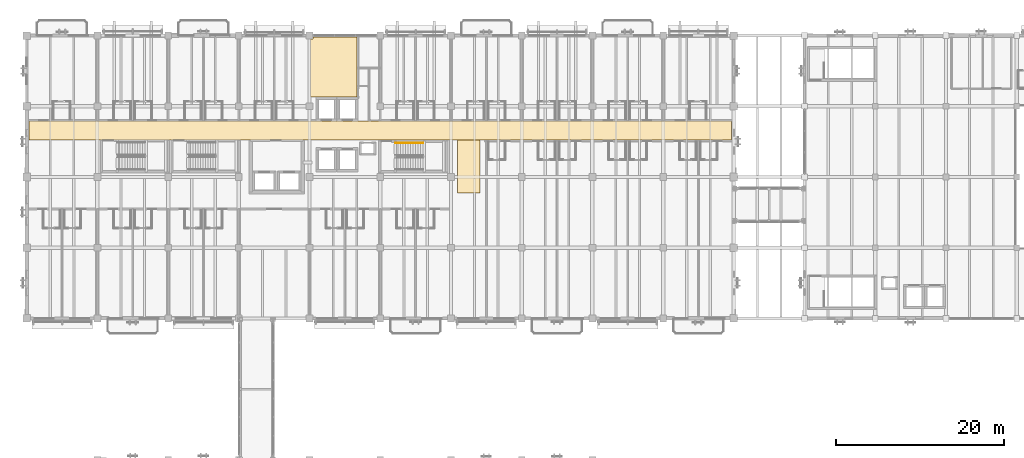
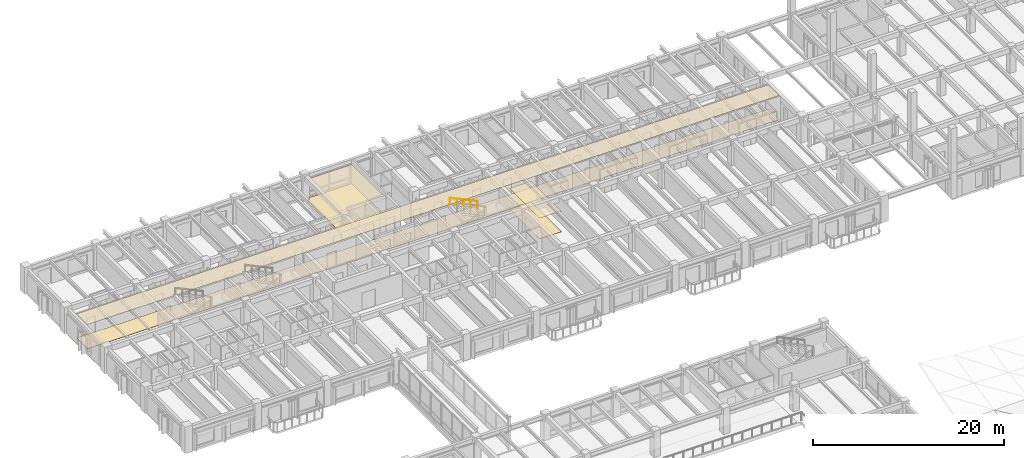
# One storey, part 116 of 123: 6 coverings, 1 railing.
"""IFC4 building model written with IfcOpenShell, lengths in metres."""

from ifc_helpers import new_model, si_unit, direction, frame, origin, origin_2d, place, context, subcontext, project, spatial, polyline, circle, outline, extrude, material, layer, layer_set, type_object, element, save


model = new_model("IFC4")

# Units and contexts
model_context = context("Model", 3, precision=1e-05, world=origin(), true_north=direction((0.0, 1.0)))
body_context = subcontext(model_context, "Body", "Model", "MODEL_VIEW")
ifc_project = project(units=[si_unit("LENGTHUNIT", "METRE"), si_unit("AREAUNIT", "SQUARE_METRE"), si_unit("VOLUMEUNIT", "CUBIC_METRE"), si_unit("PLANEANGLEUNIT", "RADIAN"), si_unit("MASSUNIT", "GRAM", prefix="KILO")], contexts=[model_context])

# Site, building, storey
site_placement = place(None, origin())
site = spatial("IfcSite", under=ifc_project, at=site_placement, CompositionType="ELEMENT")
building_placement = place(site_placement, origin())
building = spatial("IfcBuilding", under=site, at=building_placement, Name="Cumbredor Promenade Congress Hotel", CompositionType="ELEMENT")
storey_placement = place(building_placement, frame((0.0, 0.0, 11.760009765625)))
storey = spatial("IfcBuildingStorey", under=building, at=storey_placement, Name="L03", CompositionType="ELEMENT", Elevation=11.760009765625)

# Coverings
ifc_material_1 = material(Name="Acoustic mineral-fiber and gypsum ceiling")
ifc_layer_1 = layer(ifc_material_1, 0.01806640625, Name="Acoustic mineral-fiber and gypsum ceiling")
ifc_layer_set_1 = layer_set([ifc_layer_1], Name="Acoustic mineral-fiber and gypsum ceiling")
covering_type_1 = type_object("IfcCoveringType", Name="Acoustic Perforated Gypsum Ceiling CLG-01 18mm", PredefinedType="CEILING", material=ifc_layer_set_1)
covering_1_placement = place(storey_placement, frame((0.0, 0.0, 2.452880859375)))
element("IfcCovering", 1, at=covering_1_placement, inside=storey, type_object=covering_type_1, Name="L03 Cordillera Reading Salon Acoustic Ceiling", PredefinedType="CEILING", context=body_context, shape_type="SweptSolid", body=[
    extrude(outline(polyline([(39.239990234375, 110.280029296875), (33.72998046875, 110.280029296875), (33.72998046875, 117.195068359375), (34.0048828125, 117.195068359375), (34.0048828125, 117.449951171875), (39.239990234375, 117.449951171875), (39.239990234375, 110.280029296875)])), origin(), (0.0, 0.0, 1.0), 0.01806640625),
])
ifc_layer_2 = layer(ifc_material_1, 0.02197265625, Name="Acoustic mineral-fiber and gypsum ceiling")
ifc_layer_set_2 = layer_set([ifc_layer_2], Name="Acoustic mineral-fiber and gypsum ceiling")
covering_type_2 = type_object("IfcCoveringType", Name="Acoustic Perforated Gypsum Ceiling CLG-02 22mm", PredefinedType="CEILING", material=ifc_layer_set_2)
covering_2_placement = place(storey_placement, frame((0.0, 0.0, 2.635986328125)))
element("IfcCovering", 2, at=covering_2_placement, inside=storey, type_object=covering_type_2, Name="L03 East Corridor Connector Acoustic Ceiling", PredefinedType="CEILING", context=body_context, shape_type="SweptSolid", body=[
    extrude(outline(polyline([(53.820068359375, 105.219970703125), (53.820068359375, 98.89990234375), (51.179931640625, 98.89990234375), (51.179931640625, 105.219970703125), (53.820068359375, 105.219970703125)])), origin(), (0.0, 0.0, 1.0), 0.02197265625),
])
ifc_layer_3 = layer(ifc_material_1, 0.031982421875, Name="Acoustic mineral-fiber and gypsum ceiling")
ifc_layer_set_3 = layer_set([ifc_layer_3], Name="Acoustic mineral-fiber and gypsum ceiling")
covering_type_3 = type_object("IfcCoveringType", Name="Acoustic Perforated Gypsum Ceiling CLG-04 32mm", PredefinedType="CEILING", material=ifc_layer_set_3)
covering_3_placement = place(storey_placement, frame((0.0, 0.0, 3.087890625)))
element("IfcCovering", 3, at=covering_3_placement, inside=storey, type_object=covering_type_3, Name="L03 Hotel Guest Corridor Acoustic Ceiling", PredefinedType="CEILING", context=body_context, shape_type="SweptSolid", body=[
    extrude(outline(polyline([(83.7451171875, 107.469970703125), (83.7451171875, 105.179931640625), (0.2548828125, 105.179931640625), (0.2548828125, 107.469970703125), (83.7451171875, 107.469970703125)])), origin(), (0.0, 0.0, 1.0), 0.031982421875),
])
ifc_material_2 = material(Name="Porcelain stoneware tile", Category="masonry")
ifc_layer_4 = layer(ifc_material_2, 0.02001953125, Name="Porcelain stoneware tile", Category="masonry")
ifc_layer_set_4 = layer_set([ifc_layer_4], Name="Porcelain stoneware tile")
covering_type_4 = type_object("IfcCoveringType", Name="Porcelain Stoneware Flooring FLR-01 20mm", PredefinedType="FLOORING", material=ifc_layer_set_4)
covering_4_placement = place(storey_placement, origin())
element("IfcCovering", 4, at=covering_4_placement, inside=storey, type_object=covering_type_4, Name="L03 East Corridor Connector Porcelain Flooring", PredefinedType="FLOORING", context=body_context, shape_type="SweptSolid", body=[
    extrude(outline(polyline([(53.820068359375, 105.219970703125), (53.820068359375, 98.89990234375), (51.179931640625, 98.89990234375), (51.179931640625, 105.219970703125), (53.820068359375, 105.219970703125)])), origin(), (0.0, 0.0, 1.0), 0.02001953125),
])
ifc_layer_5 = layer(ifc_material_2, 0.02490234375, Name="Porcelain stoneware tile", Category="masonry")
ifc_layer_set_5 = layer_set([ifc_layer_5], Name="Porcelain stoneware tile")
covering_type_5 = type_object("IfcCoveringType", Name="Porcelain Stoneware Flooring FLR-02 25mm", PredefinedType="FLOORING", material=ifc_layer_set_5)
covering_5_placement = place(storey_placement, origin())
element("IfcCovering", 5, at=covering_5_placement, inside=storey, type_object=covering_type_5, Name="L03 Hotel Guest Corridor Porcelain Flooring", PredefinedType="FLOORING", context=body_context, shape_type="SweptSolid", body=[
    extrude(outline(polyline([(83.7451171875, 107.469970703125), (83.7451171875, 105.179931640625), (0.2548828125, 105.179931640625), (0.2548828125, 107.469970703125), (83.7451171875, 107.469970703125)])), origin(), (0.0, 0.0, 1.0), 0.02490234375),
])
ifc_layer_6 = layer(ifc_material_2, 0.030029296875, Name="Porcelain stoneware tile", Category="masonry")
ifc_layer_set_6 = layer_set([ifc_layer_6], Name="Porcelain stoneware tile")
covering_type_6 = type_object("IfcCoveringType", Name="Porcelain Stoneware Flooring FLR-03 30mm", PredefinedType="FLOORING", material=ifc_layer_set_6)
covering_6_placement = place(storey_placement, origin())
element("IfcCovering", 6, at=covering_6_placement, inside=storey, type_object=covering_type_6, Name="L03 Cordillera Reading Salon Porcelain Flooring", PredefinedType="FLOORING", context=body_context, shape_type="SweptSolid", body=[
    extrude(outline(polyline([(39.239990234375, 110.280029296875), (33.72998046875, 110.280029296875), (33.72998046875, 117.195068359375), (34.0048828125, 117.195068359375), (34.0048828125, 117.449951171875), (39.239990234375, 117.449951171875), (39.239990234375, 110.280029296875)])), origin(), (0.0, 0.0, 1.0), 0.030029296875),
])

# Railing
ifc_material_3 = material(Name="Brushed stainless steel", Category="steel")
railing_type = type_object("IfcRailingType", Name="Stair Pitch Handrail HR-900", PredefinedType="HANDRAIL", material=ifc_material_3)
railing_placement = place(storey_placement, frame((47.10009765625, 104.820068359375, 1.820068359375)))
element("IfcRailing", 7, at=railing_placement, inside=storey, type_object=railing_type, Name="L03 ST-03 stair handrail 2", PredefinedType="HANDRAIL", context=body_context, shape_type="SweptSolid", body=[
    extrude(circle(Radius=0.02392578125, at=origin_2d()), frame((0.0, 0.0, 0.8759765625), z_axis=(-0.906181427284, 0.0, 0.422889135408), x_axis=(0.0, -1.0, 0.0)), (0.0, 0.0, 1.0), 3.6416015625),
    extrude(circle(Radius=0.02099609375, at=origin_2d()), origin(), (0.0, 0.0, 1.0), 0.851806640625),
    extrude(circle(Radius=0.02099609375, at=origin_2d()), frame((-0.824951171875, 0.0, 0.385009765625)), (0.0, 0.0, 1.0), 0.851806640625),
    extrude(circle(Radius=0.02099609375, at=origin_2d()), frame((-1.64990234375, 0.0, 0.77001953125)), (0.0, 0.0, 1.0), 0.851806640625),
    extrude(circle(Radius=0.02099609375, at=origin_2d()), frame((-2.47509765625, 0.0, 1.155029296875)), (0.0, 0.0, 1.0), 0.851806640625),
    extrude(circle(Radius=0.02099609375, at=origin_2d()), frame((-3.300048828125, 0.0, 1.5400390625)), (0.0, 0.0, 1.0), 0.851806640625),
])

save(model, "model.ifc")
